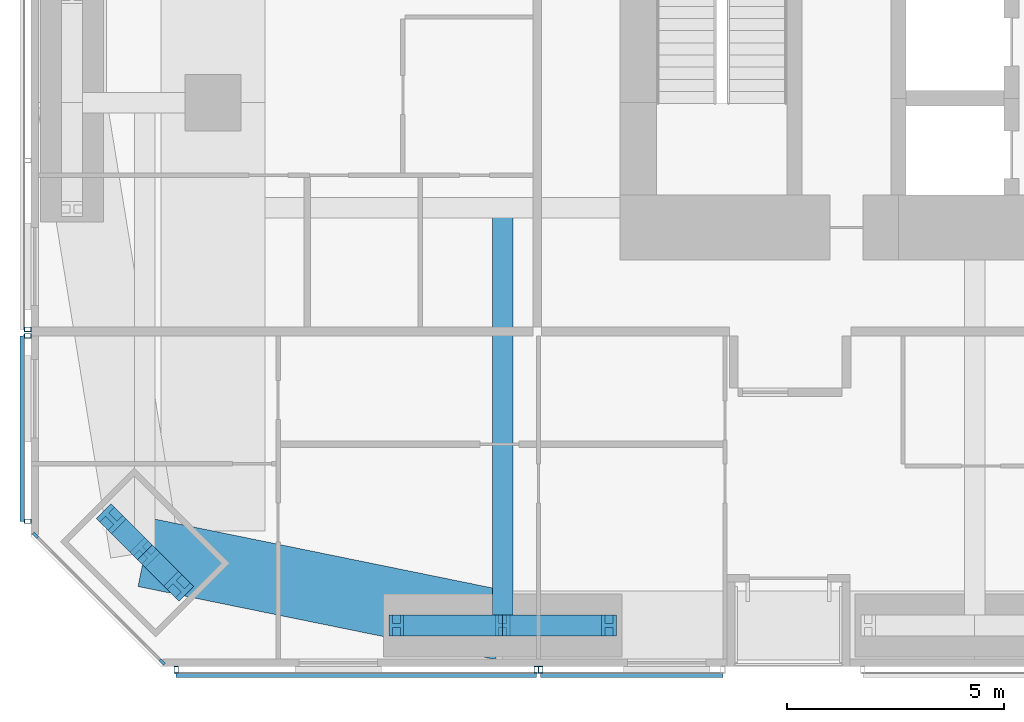
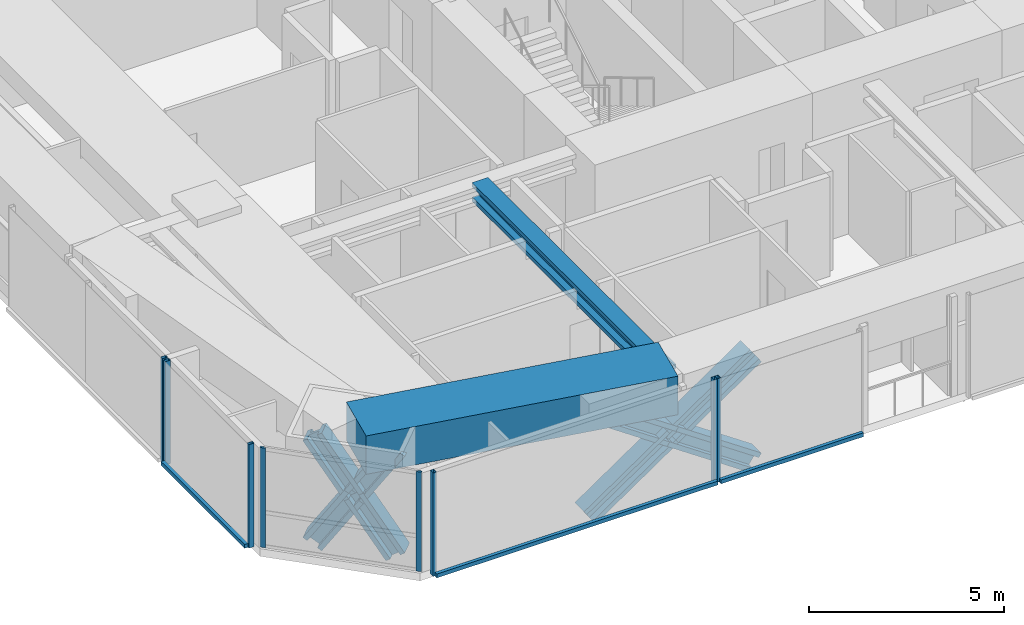
# One storey, part 2 of 23: 19 members, 2 beams, 5 elements without a shape of their own.
"""IFC4 building model written with IfcOpenShell, lengths in metres."""

from ifc_helpers import new_model, si_unit, direction, frame, origin, origin_2d, place, context, subcontext, project, spatial, rectangle, hollow_rectangle, i_section, extrude, material, material_profile, profile_set, type_object, element, aggregate, save


model = new_model("IFC4")

# Units and contexts
model_context = context("Model", 3, precision=1e-05, world=origin(), true_north=direction((0.0, 1.0)))
body_context = subcontext(model_context, "Body", "Model", "MODEL_VIEW")
ifc_project = project(units=[si_unit("LENGTHUNIT", "METRE"), si_unit("AREAUNIT", "SQUARE_METRE"), si_unit("VOLUMEUNIT", "CUBIC_METRE"), si_unit("PLANEANGLEUNIT", "RADIAN"), si_unit("MASSUNIT", "GRAM", prefix="KILO")], contexts=[model_context])

# Site, building, storey
site_placement = place(None, origin())
site = spatial("IfcSite", under=ifc_project, at=site_placement, CompositionType="ELEMENT")
building_placement = place(site_placement, origin())
building = spatial("IfcBuilding", under=site, at=building_placement, Name="Jalousie Tower", CompositionType="ELEMENT")
storey_placement = place(building_placement, frame((0.0, 0.0, 88.10009765625)))
storey = spatial("IfcBuildingStorey", under=building, at=storey_placement, Name="L23", CompositionType="ELEMENT", Elevation=88.10009765625)

# Curtain wall, members
ifc_material_1 = material(Name="Aluminium curtain wall", Category="aluminium")
curtain_wall_type_1 = type_object("IfcCurtainWallType", Name="CORNER WINDOW WALL", PredefinedType="USERDEFINED", material=ifc_material_1)
curtain_wall_1_placement = place(storey_placement, origin())
curtain_wall_1 = element("IfcCurtainWall", 1, at=curtain_wall_1_placement, inside=storey, type_object=curtain_wall_type_1, Name="Corner Window Wall L23 8", ObjectType="CORNER WINDOW WALL", PredefinedType="USERDEFINED")
ifc_material_2 = material(Name="Aluminium mullion", Category="aluminium")
ifc_material_profile_1 = material_profile(ifc_material_2, rectangle(XDim=0.06005859375, YDim=0.14990234375, at=origin_2d()), Name="MULLION 60x150")
ifc_profile_set_1 = profile_set([ifc_material_profile_1], Name="Aluminium mullion")
member_type_1 = type_object("IfcMemberType", Name="CORNER WINDOW WALL MULLION", PredefinedType="MULLION", material=ifc_profile_set_1)
member_1_placement = place(storey_placement, frame((6.108642578125, 3.030029296875, 0.0), z_axis=(0.0, 0.0, 1.0), x_axis=(0.707106781187, 0.707106781187, 0.0)))
member_1 = element("IfcMember", 2, at=member_1_placement, type_object=member_type_1, Name="CW-C mullion 1", PredefinedType="MULLION", context=body_context, shape_type="SweptSolid", body=[
    extrude(rectangle(XDim=0.06005859375, YDim=0.14990234375, at=origin_2d()), origin(), (0.0, 0.0, 1.0), 3.10986328125),
])
member_2_placement = place(storey_placement, frame((9.030029296875, 0.108642578125, 0.0), z_axis=(0.0, 0.0, 1.0), x_axis=(0.707106781187, 0.707106781187, 0.0)))
member_2 = element("IfcMember", 3, at=member_2_placement, type_object=member_type_1, Name="CW-C mullion 2", PredefinedType="MULLION", context=body_context, shape_type="SweptSolid", body=[
    extrude(rectangle(XDim=0.06005859375, YDim=0.14990234375, at=origin_2d()), origin(), (0.0, 0.0, 1.0), 3.10986328125),
])
aggregate(curtain_wall_1, [member_1, member_2])

# Beam
ifc_material_3 = material(Name="Steel ASTM A992 Grade 50", Category="steel")
ifc_material_profile_2 = material_profile(ifc_material_3, i_section(OverallWidth=0.472412109375, OverallDepth=0.5791015625, WebThickness=0.094970703125, FlangeThickness=0.1298828125, at=origin_2d()), Name="W14X808")
ifc_profile_set_2 = profile_set([ifc_material_profile_2], Name="Steel ASTM A992 Grade 50")
beam_type_1 = type_object("IfcBeamType", Name="LEAN COLLECTOR W14X808", PredefinedType="BEAM", material=ifc_profile_set_2)
beam_1_placement = place(storey_placement, frame((16.875, 0.949951171875, 2.8203125), z_axis=(0.0, 1.0, 0.0), x_axis=(-1.0, 0.0, 0.0)))
element("IfcBeam", 4, at=beam_1_placement, inside=storey, type_object=beam_type_1, Name="Lean collector under L24", PredefinedType="BEAM", context=body_context, shape_type="SweptSolid", body=[
    extrude(i_section(OverallWidth=0.472412109375, OverallDepth=0.5791015625, WebThickness=0.094970703125, FlangeThickness=0.1298828125, at=origin_2d()), origin(), (0.0, 0.0, 1.0), 9.625),
])

# Members
ifc_material_4 = material(Name="Steel ASTM A992 Grade 50", Category="steel")
ifc_material_profile_3 = material_profile(ifc_material_4, i_section(OverallWidth=0.4775390625, OverallDepth=0.599365234375, WebThickness=0.10009765625, FlangeThickness=0.139892578125, at=origin_2d()), Name="W14X873")
ifc_profile_set_3 = profile_set([ifc_material_profile_3], Name="Steel ASTM A992 Grade 50")
member_type_2 = type_object("IfcMemberType", Name="PERIMETER BRACE W14X873", PredefinedType="BRACE", material=ifc_profile_set_3)
for number, where, z_axis, x_axis, name in (
    (5, (7.853515625, 3.4091796875, -0.60009765625), (0.388148535558, -0.388148535558, 0.835871658024), (0.707106781187, 0.707106781187, 0.0), "Perimeter brace 01 L23 part 1"),
    (6, (8.63134765625, 2.63134765625, 1.074951171875), (0.388148535558, -0.388148535558, 0.835871658024), (0.707106781187, 0.707106781187, 0.0), "Perimeter brace 01 L23 part 2"),
    (7, (9.4091796875, 1.853515625, -0.60009765625), (-0.388148535558, 0.388148535558, 0.835871658024), (-0.707106781187, -0.707106781187, 0.0), "Perimeter brace 01 L23 part 3"),
    (8, (8.63134765625, 2.63134765625, 1.074951171875), (-0.388148535558, 0.388148535558, 0.835871658024), (-0.707106781187, -0.707106781187, 0.0), "Perimeter brace 01 L23 part 4"),
):
    element("IfcMember", number, at=place(storey_placement, frame(where, z_axis=z_axis, x_axis=x_axis)), inside=storey, type_object=member_type_2, Name=name, PredefinedType="BRACE", context=body_context, shape_type="SweptSolid", body=[
        extrude(i_section(OverallWidth=0.4775390625, OverallDepth=0.599365234375, WebThickness=0.10009765625, FlangeThickness=0.139892578125, at=origin_2d()), origin(), (0.0, 0.0, 1.0), 2.00390625),
    ])
for number, where, z_axis, x_axis, name in (
    (9, (14.425048828125, 0.949951171875, -0.60009765625), (0.825500916831, 0.0, 0.564400776321), (0.0, 1.0, 0.0), "Perimeter brace 02 L23 part 1"),
    (10, (16.875, 0.949951171875, 1.074951171875), (0.825500916831, 0.0, 0.564400776321), (0.0, 1.0, 0.0), "Perimeter brace 02 L23 part 2"),
    (11, (19.324951171875, 0.949951171875, -0.60009765625), (-0.825500916831, 0.0, 0.564400776321), (0.0, -1.0, 0.0), "Perimeter brace 02 L23 part 3"),
    (12, (16.875, 0.949951171875, 1.074951171875), (-0.825500916831, 0.0, 0.564400776321), (0.0, -1.0, 0.0), "Perimeter brace 02 L23 part 4"),
):
    element("IfcMember", number, at=place(storey_placement, frame(where, z_axis=z_axis, x_axis=x_axis)), inside=storey, type_object=member_type_2, Name=name, PredefinedType="BRACE", context=body_context, shape_type="SweptSolid", body=[
        extrude(i_section(OverallWidth=0.4775390625, OverallDepth=0.599365234375, WebThickness=0.10009765625, FlangeThickness=0.139892578125, at=origin_2d()), origin(), (0.0, 0.0, 1.0), 2.9677734375),
    ])

# Beam
ifc_material_5 = material(Name="Concrete f'c 40 MPa", Category="concrete")
ifc_material_profile_4 = material_profile(ifc_material_5, rectangle(XDim=1.60009765625, YDim=1.199951171875, at=origin_2d()), Name="RC 1600x1200")
ifc_profile_set_4 = profile_set([ifc_material_profile_4], Name="Concrete f'c 40 MPa")
beam_type_2 = type_object("IfcBeamType", Name="RC BEAM 1600x1200", PredefinedType="BEAM", material=ifc_profile_set_4)
beam_2_placement = place(storey_placement, frame((8.63134765625, 2.63134765625, 2.75), z_axis=(0.97982690954, -0.199848010602, 0.0), x_axis=(0.199848010602, 0.97982690954, 0.0)))
element("IfcBeam", 13, at=beam_2_placement, inside=storey, type_object=beam_type_2, Name="Edge band beam 01-02 under L24", PredefinedType="BEAM", context=body_context, shape_type="SweptSolid", body=[
    extrude(rectangle(XDim=1.60009765625, YDim=1.199951171875, at=origin_2d()), origin(), (0.0, 0.0, 1.0), 8.413330078125),
])

# Curtain wall, members
ifc_material_6 = material(Name="Perforated aluminium sheet", Category="aluminium")
curtain_wall_type_2 = type_object("IfcCurtainWallType", Name="SOLAR SCREEN SS-1", PredefinedType="USERDEFINED", material=ifc_material_6)
curtain_wall_2_placement = place(storey_placement, origin())
curtain_wall_2 = element("IfcCurtainWall", 14, at=curtain_wall_2_placement, inside=storey, type_object=curtain_wall_type_2, Name="Solar screen L23", ObjectType="SOLAR SCREEN SS-1", PredefinedType="USERDEFINED")
ifc_material_7 = material(Name="Steel ASTM A500 Grade C", Category="steel")
ifc_material_profile_5 = material_profile(ifc_material_7, hollow_rectangle(XDim=0.1015625, YDim=0.15234375, WallThickness=0.00634765625, at=origin_2d()), Name="HSS6X4X1/4")
ifc_profile_set_5 = profile_set([ifc_material_profile_5], Name="Steel ASTM A500 Grade C")
member_type_3 = type_object("IfcMemberType", Name="SOLAR SCREEN SS-1 MULLION", PredefinedType="MULLION", material=ifc_profile_set_5)
member_3_placement = place(storey_placement, frame((9.351318359375, -0.0712890625, -0.1201171875), z_axis=(0.0, 0.0, 1.0), x_axis=(1.0, 0.0, 0.0)))
member_3 = element("IfcMember", 15, at=member_3_placement, type_object=member_type_3, Name="SS1 post 1", PredefinedType="MULLION", context=body_context, shape_type="SweptSolid", body=[
    extrude(hollow_rectangle(XDim=0.1015625, YDim=0.15234375, WallThickness=0.00634765625, at=origin_2d()), origin(), (0.0, 0.0, 1.0), 3.22998046875),
])
member_4_placement = place(storey_placement, frame((17.64990234375, -0.0712890625, -0.1201171875), z_axis=(0.0, 0.0, 1.0), x_axis=(1.0, 0.0, 0.0)))
member_4 = element("IfcMember", 16, at=member_4_placement, type_object=member_type_3, Name="SS1 post 2", PredefinedType="MULLION", context=body_context, shape_type="SweptSolid", body=[
    extrude(hollow_rectangle(XDim=0.1015625, YDim=0.15234375, WallThickness=0.00634765625, at=origin_2d()), origin(), (0.0, 0.0, 1.0), 3.22998046875),
])

# Curtain wall, member
curtain_wall_3_placement = place(storey_placement, origin())
curtain_wall_3 = element("IfcCurtainWall", 17, at=curtain_wall_3_placement, inside=storey, type_object=curtain_wall_type_2, Name="Solar screen L23", ObjectType="SOLAR SCREEN SS-1", PredefinedType="USERDEFINED")
member_5_placement = place(storey_placement, frame((17.75, -0.0712890625, -0.1201171875), z_axis=(0.0, 0.0, 1.0), x_axis=(1.0, 0.0, 0.0)))
member_5 = element("IfcMember", 18, at=member_5_placement, type_object=member_type_3, Name="SS1 post 1", PredefinedType="MULLION", context=body_context, shape_type="SweptSolid", body=[
    extrude(hollow_rectangle(XDim=0.1015625, YDim=0.15234375, WallThickness=0.00634765625, at=origin_2d()), origin(), (0.0, 0.0, 1.0), 3.22998046875),
])

curtain_wall_4_placement = place(storey_placement, origin())
curtain_wall_4 = element("IfcCurtainWall", 19, at=curtain_wall_4_placement, inside=storey, type_object=curtain_wall_type_2, Name="Solar screen L23", ObjectType="SOLAR SCREEN SS-1", PredefinedType="USERDEFINED")
member_6_placement = place(storey_placement, frame((5.9287109375, 7.77490234375, -0.1201171875), z_axis=(0.0, 0.0, 1.0), x_axis=(0.0, -1.0, 0.0)))
member_6 = element("IfcMember", 20, at=member_6_placement, type_object=member_type_3, Name="SS1 post 3", PredefinedType="MULLION", context=body_context, shape_type="SweptSolid", body=[
    extrude(hollow_rectangle(XDim=0.1015625, YDim=0.15234375, WallThickness=0.00634765625, at=origin_2d()), origin(), (0.0, 0.0, 1.0), 3.22998046875),
])
aggregate(curtain_wall_4, [member_6])

# Curtain wall, members
curtain_wall_5_placement = place(storey_placement, origin())
curtain_wall_5 = element("IfcCurtainWall", 21, at=curtain_wall_5_placement, inside=storey, type_object=curtain_wall_type_2, Name="Solar screen L23", ObjectType="SOLAR SCREEN SS-1", PredefinedType="USERDEFINED")
member_7_placement = place(storey_placement, frame((5.9287109375, 7.625, -0.1201171875), z_axis=(0.0, 0.0, 1.0), x_axis=(0.0, -1.0, 0.0)))
member_7 = element("IfcMember", 22, at=member_7_placement, type_object=member_type_3, Name="SS1 post 1", PredefinedType="MULLION", context=body_context, shape_type="SweptSolid", body=[
    extrude(hollow_rectangle(XDim=0.1015625, YDim=0.15234375, WallThickness=0.00634765625, at=origin_2d()), origin(), (0.0, 0.0, 1.0), 3.22998046875),
])
member_8_placement = place(storey_placement, frame((5.9287109375, 3.351318359375, -0.1201171875), z_axis=(0.0, 0.0, 1.0), x_axis=(0.0, -1.0, 0.0)))
member_8 = element("IfcMember", 23, at=member_8_placement, type_object=member_type_3, Name="SS1 post 2", PredefinedType="MULLION", context=body_context, shape_type="SweptSolid", body=[
    extrude(hollow_rectangle(XDim=0.1015625, YDim=0.15234375, WallThickness=0.00634765625, at=origin_2d()), origin(), (0.0, 0.0, 1.0), 3.22998046875),
])

# Member
ifc_material_8 = material(Name="Extruded aluminium screen rail", Category="aluminium")
ifc_material_profile_6 = material_profile(ifc_material_8, rectangle(XDim=0.1015625, YDim=0.1201171875, at=origin_2d()), Name="RAIL 102x120")
ifc_profile_set_6 = profile_set([ifc_material_profile_6], Name="Extruded aluminium screen rail")
member_type_4 = type_object("IfcMemberType", Name="SOLAR SCREEN SS-1 TRANSOM", PredefinedType="USERDEFINED", material=ifc_profile_set_6)
member_9_placement = place(storey_placement, frame((9.351318359375, -0.1982421875, -0.06005859375), z_axis=(1.0, 0.0, 0.0), x_axis=(0.0, 1.0, 0.0)))
member_9 = element("IfcMember", 24, at=member_9_placement, type_object=member_type_4, Name="SS1 rail", ObjectType="TRANSOM", PredefinedType="USERDEFINED", context=body_context, shape_type="SweptSolid", body=[
    extrude(rectangle(XDim=0.1015625, YDim=0.1201171875, at=origin_2d()), origin(), (0.0, 0.0, 1.0), 8.298583984375),
])

aggregate(curtain_wall_2, [member_3, member_4, member_9])

member_10_placement = place(storey_placement, frame((17.75, -0.1982421875, -0.06005859375), z_axis=(1.0, 0.0, 0.0), x_axis=(0.0, 1.0, 0.0)))
member_10 = element("IfcMember", 25, at=member_10_placement, type_object=member_type_4, Name="SS1 rail", ObjectType="TRANSOM", PredefinedType="USERDEFINED", context=body_context, shape_type="SweptSolid", body=[
    extrude(rectangle(XDim=0.1015625, YDim=0.1201171875, at=origin_2d()), origin(), (0.0, 0.0, 1.0), 4.199951171875),
])

aggregate(curtain_wall_3, [member_5, member_10])

member_11_placement = place(storey_placement, frame((5.8017578125, 7.625, -0.06005859375), z_axis=(0.0, -1.0, 0.0), x_axis=(1.0, 0.0, 0.0)))
member_11 = element("IfcMember", 26, at=member_11_placement, type_object=member_type_4, Name="SS1 rail", ObjectType="TRANSOM", PredefinedType="USERDEFINED", context=body_context, shape_type="SweptSolid", body=[
    extrude(rectangle(XDim=0.1015625, YDim=0.1201171875, at=origin_2d()), origin(), (0.0, 0.0, 1.0), 4.273681640625),
])

aggregate(curtain_wall_5, [member_7, member_8, member_11])

save(model, "model.ifc")
